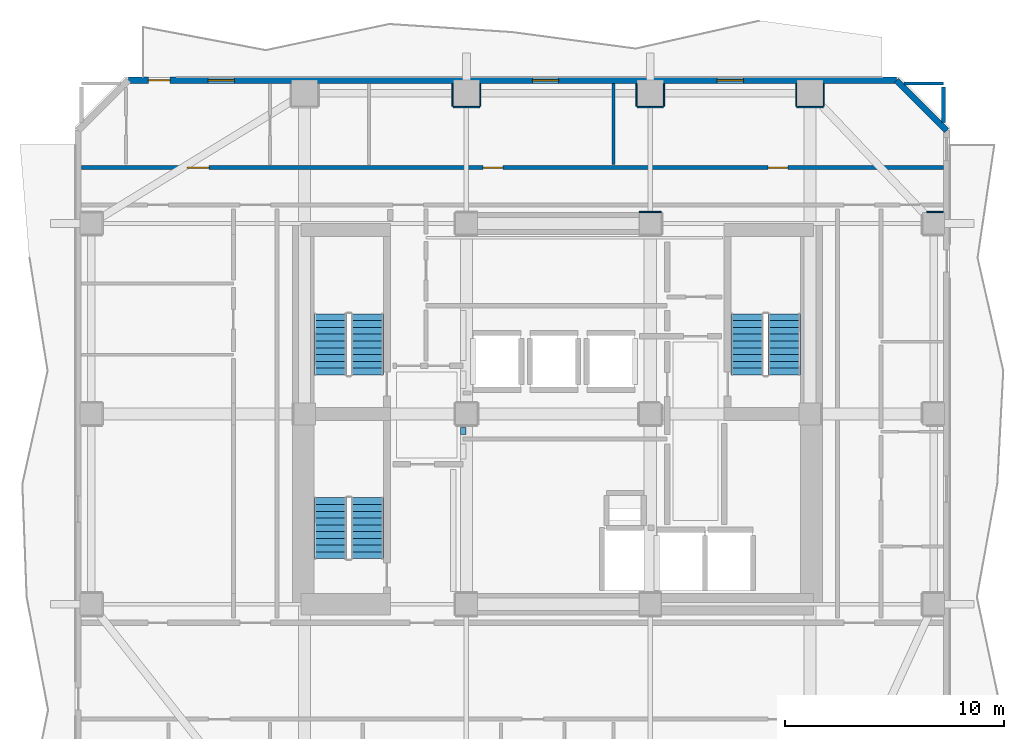
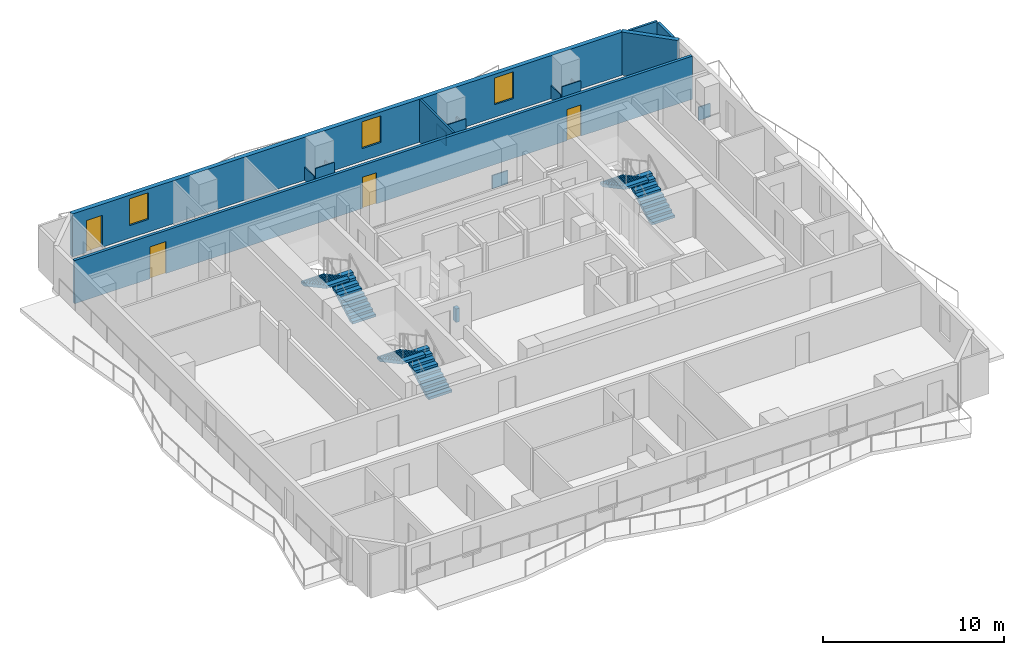
# One storey, part 6 of 10: 18 walls, 6 stair flights, 4 doors, 3 windows, 7 openings, 3 elements without a shape of their own.
"""IFC4 building model written with IfcOpenShell, lengths in metres."""

from ifc_helpers import new_model, si_unit, direction, frame, frame_2d, origin, place, context, subcontext, project, spatial, polyline, rectangle, outline, extrude, material, layer, layer_set, type_object, element, fill, aggregate, save


model = new_model("IFC4")

# Units and contexts
model_context = context("Model", 3, precision=1e-05, world=origin(), true_north=direction((0.0, 1.0)))
body_context = subcontext(model_context, "Body", "Model", "MODEL_VIEW")
ifc_project = project(units=[si_unit("LENGTHUNIT", "METRE"), si_unit("AREAUNIT", "SQUARE_METRE"), si_unit("VOLUMEUNIT", "CUBIC_METRE"), si_unit("PLANEANGLEUNIT", "RADIAN"), si_unit("MASSUNIT", "GRAM", prefix="KILO")], contexts=[model_context])

# Site, building, storey
site_placement = place(None, origin())
site = spatial("IfcSite", under=ifc_project, at=site_placement, CompositionType="ELEMENT")
building_placement = place(site_placement, origin())
building = spatial("IfcBuilding", under=site, at=building_placement, Name="Solanera Arch Residences", CompositionType="ELEMENT")
storey_placement = place(building_placement, frame((0.0, 0.0, 122.679931640625)))
storey = spatial("IfcBuildingStorey", under=building, at=storey_placement, Name="L35", CompositionType="ELEMENT", Elevation=122.679931640625)

# Walls
ifc_material_1 = material(Name="Fire-Rated Gypsum Stud Partition", Category="gypsum")
ifc_layer_1 = layer(ifc_material_1, 0.06005859375)
ifc_layer_set_1 = layer_set([ifc_layer_1], Name="Fire-Rated Gypsum Stud Partition")
wall_type_1 = type_object("IfcWallType", Name="Column Acoustic Furring Wall 60", PredefinedType="PARTITIONING", material=ifc_layer_set_1)
wall_1_placement = place(storey_placement, frame((28.699951171875, 39.931884765625, 0.0), z_axis=(0.0, 0.0, 1.0), x_axis=(1.0, 0.0, 0.0)))
element("IfcWall", 1, at=wall_1_placement, inside=storey, type_object=wall_type_1, Name="L35 Column Furring 4N", PredefinedType="PARTITIONING", context=body_context, shape_type="SweptSolid", body=[
    extrude(rectangle(XDim=1.0, YDim=0.06005859375, at=frame_2d((0.5, 0.0))), origin(), (0.0, 0.0, 1.0), 0.905029296875),
])
wall_2_placement = place(storey_placement, frame((20.199951171875, 44.718017578125, 0.0), z_axis=(0.0, 0.0, 1.0), x_axis=(1.0, 0.0, 0.0)))
element("IfcWall", 2, at=wall_2_placement, inside=storey, type_object=wall_type_1, Name="L35 Column Furring 12S", PredefinedType="PARTITIONING", context=body_context, shape_type="SweptSolid", body=[
    extrude(rectangle(XDim=1.199951171875, YDim=0.06005859375, at=frame_2d((0.60009765625, 0.0))), origin(), (0.0, 0.0, 1.0), 1.449951171875),
])
for number, where, z_axis, x_axis, name in (
    (3, (20.16796875, 44.75, 0.0), (0.0, 0.0, 1.0), (0.0, 1.0, 0.0), "L35 Column Furring 12W"),
    (4, (21.431884765625, 44.75, 0.0), (0.0, 0.0, 1.0), (0.0, 1.0, 0.0), "L35 Column Furring 12E"),
):
    element("IfcWall", number, at=place(storey_placement, frame(where, z_axis=z_axis, x_axis=x_axis)), inside=storey, type_object=wall_type_1, Name=name, PredefinedType="PARTITIONING", context=body_context, shape_type="SweptSolid", body=[
        extrude(rectangle(XDim=1.0400390625, YDim=0.06005859375, at=frame_2d((0.52001953125, 0.0))), origin(), (0.0, 0.0, 1.0), 0.905029296875),
    ])
wall_3_placement = place(storey_placement, frame((28.60009765625, 44.718017578125, 0.0), z_axis=(0.0, 0.0, 1.0), x_axis=(1.0, 0.0, 0.0)))
element("IfcWall", 5, at=wall_3_placement, inside=storey, type_object=wall_type_1, Name="L35 Column Furring 14S", PredefinedType="PARTITIONING", context=body_context, shape_type="SweptSolid", body=[
    extrude(rectangle(XDim=1.199951171875, YDim=0.06005859375, at=frame_2d((0.60009765625, 0.0))), origin(), (0.0, 0.0, 1.0), 1.449951171875),
])
for number, where, z_axis, x_axis, name in (
    (6, (28.568115234375, 44.75, 0.0), (0.0, 0.0, 1.0), (0.0, 1.0, 0.0), "L35 Column Furring 14W"),
    (7, (29.83203125, 44.75, 0.0), (0.0, 0.0, 1.0), (0.0, 1.0, 0.0), "L35 Column Furring 14E"),
):
    element("IfcWall", number, at=place(storey_placement, frame(where, z_axis=z_axis, x_axis=x_axis)), inside=storey, type_object=wall_type_1, Name=name, PredefinedType="PARTITIONING", context=body_context, shape_type="SweptSolid", body=[
        extrude(rectangle(XDim=1.0400390625, YDim=0.06005859375, at=frame_2d((0.52001953125, 0.0))), origin(), (0.0, 0.0, 1.0), 0.905029296875),
    ])
wall_4_placement = place(storey_placement, frame((35.89990234375, 44.718017578125, 0.0), z_axis=(0.0, 0.0, 1.0), x_axis=(1.0, 0.0, 0.0)))
element("IfcWall", 8, at=wall_4_placement, inside=storey, type_object=wall_type_1, Name="L35 Column Furring 16S", PredefinedType="PARTITIONING", context=body_context, shape_type="SweptSolid", body=[
    extrude(rectangle(XDim=1.2001953125, YDim=0.06005859375, at=frame_2d((0.60009765625, 0.0))), origin(), (0.0, 0.0, 1.0), 1.449951171875),
])
for number, where, z_axis, x_axis, name in (
    (9, (35.867919921875, 44.75, 0.0), (0.0, 0.0, 1.0), (0.0, 1.0, 0.0), "L35 Column Furring 16W"),
    (10, (37.132080078125, 44.75, 0.0), (0.0, 0.0, 1.0), (0.0, 1.0, 0.0), "L35 Column Furring 16E"),
):
    element("IfcWall", number, at=place(storey_placement, frame(where, z_axis=z_axis, x_axis=x_axis)), inside=storey, type_object=wall_type_1, Name=name, PredefinedType="PARTITIONING", context=body_context, shape_type="SweptSolid", body=[
        extrude(rectangle(XDim=1.0400390625, YDim=0.06005859375, at=frame_2d((0.52001953125, 0.0))), origin(), (0.0, 0.0, 1.0), 0.905029296875),
    ])
wall_5_placement = place(storey_placement, frame((41.839111328125, 39.931884765625, 0.0), z_axis=(0.0, 0.0, 1.0), x_axis=(1.0, 0.0, 0.0)))
element("IfcWall", 11, at=wall_5_placement, inside=storey, type_object=wall_type_1, Name="L35 Column Furring 22N", PredefinedType="PARTITIONING", context=body_context, shape_type="SweptSolid", body=[
    extrude(rectangle(XDim=0.7509765625, YDim=0.06005859375, at=frame_2d((0.37548828125, 0.0))), origin(), (0.0, 0.0, 1.0), 0.905029296875),
])

# Wall, openings, doors
ifc_material_2 = material(Name="Autoclaved Aerated Concrete Blockwork", Category="masonry")
ifc_layer_2 = layer(ifc_material_2, 0.179931640625)
ifc_layer_set_2 = layer_set([ifc_layer_2], Name="Autoclaved Aerated Concrete Blockwork")
wall_type_2 = type_object("IfcWallType", Name="Corridor Fire Partition 180", PredefinedType="PARTITIONING", material=ifc_layer_set_2)
wall_6_placement = place(storey_placement, frame((3.20703125, 41.949951171875, 0.0), z_axis=(0.0, 0.0, 1.0), x_axis=(1.0, 0.0, 0.0)))
wall_6 = element("IfcWall", 12, at=wall_6_placement, inside=storey, type_object=wall_type_2, Name="L35 Interior Partition H12", PredefinedType="PARTITIONING", context=body_context, shape_type="SweptSolid", body=[
    extrude(rectangle(XDim=39.385986328125, YDim=0.179931640625, at=frame_2d((19.69287109375, 0.0))), origin(), (0.0, 0.0, 1.0), 2.900146484375),
])
opening_1_placement = place(wall_6_placement, frame((4.827880859375, 0.0, 0.0)))
opening_1 = element("IfcOpeningElement", 13, at=opening_1_placement, cuts=wall_6, Name="Opening DI-01", PredefinedType="OPENING", context=body_context, shape_type="SweptSolid", body=[
    extrude(rectangle(XDim=1.0, YDim=2.14990234375, at=frame_2d((0.5, 1.074951171875))), frame((0.0, 0.10009765625, 0.0), z_axis=(0.0, -1.0, 0.0), x_axis=(1.0, 0.0, 0.0)), (0.0, 0.0, 1.0), 0.1999),
])
opening_2_placement = place(wall_6_placement, frame((18.35498046875, 0.0, 0.0)))
opening_2 = element("IfcOpeningElement", 14, at=opening_2_placement, cuts=wall_6, Name="Opening DI-02", PredefinedType="OPENING", context=body_context, shape_type="SweptSolid", body=[
    extrude(rectangle(XDim=0.89990234375, YDim=2.10009765625, at=frame_2d((0.449951171875, 1.050048828125))), frame((0.0, 0.10009765625, 0.0), z_axis=(0.0, -1.0, 0.0), x_axis=(1.0, 0.0, 0.0)), (0.0, 0.0, 1.0), 0.1999),
])
opening_3_placement = place(wall_6_placement, frame((31.37890625, 0.0, 0.0)))
opening_3 = element("IfcOpeningElement", 15, at=opening_3_placement, cuts=wall_6, Name="Opening DI-02", PredefinedType="OPENING", context=body_context, shape_type="SweptSolid", body=[
    extrude(rectangle(XDim=0.89990234375, YDim=2.10009765625, at=frame_2d((0.449951171875, 1.050048828125))), frame((0.0, 0.10009765625, 0.0), z_axis=(0.0, -1.0, 0.0), x_axis=(1.0, 0.0, 0.0)), (0.0, 0.0, 1.0), 0.1999),
])
ifc_material_3 = material(Name="Fire-Rated Architectural Hardwood", Category="wood")
door_type_1 = type_object("IfcDoorType", Name="Suite Room Swing Door DI-02", OperationType="NOTDEFINED", PredefinedType="DOOR", material=ifc_material_3)
door_1_placement = place(opening_2_placement, origin())
door_1 = element("IfcDoor", 16, at=door_1_placement, inside=storey, type_object=door_type_1, Name="DR-L35-IN-029", OperationType="SINGLE_SWING_LEFT", OverallHeight=2.10009765625, OverallWidth=0.89990234375, PredefinedType="DOOR", context=body_context, shape_type="SweptSolid", body=[
    extrude(rectangle(XDim=0.89990234375, YDim=2.10009765625, at=frame_2d((0.449951171875, 1.050048828125))), frame((0.0, 0.02490234375, 0.0), z_axis=(0.0, -1.0, 0.0), x_axis=(1.0, 0.0, 0.0)), (0.0, 0.0, 1.0), 0.050048828125),
])
fill(opening_2, door_1)
door_2_placement = place(opening_3_placement, origin())
door_2 = element("IfcDoor", 17, at=door_2_placement, inside=storey, type_object=door_type_1, Name="DR-L35-IN-030", OperationType="SINGLE_SWING_RIGHT", OverallHeight=2.10009765625, OverallWidth=0.89990234375, PredefinedType="DOOR", context=body_context, shape_type="SweptSolid", body=[
    extrude(rectangle(XDim=0.89990234375, YDim=2.10009765625, at=frame_2d((0.449951171875, 1.050048828125))), frame((0.0, 0.02490234375, 0.0), z_axis=(0.0, -1.0, 0.0), x_axis=(1.0, 0.0, 0.0)), (0.0, 0.0, 1.0), 0.050048828125),
])
fill(opening_3, door_2)
ifc_material_4 = material(Name="Fire-Rated Architectural Hardwood", Category="wood")
door_type_2 = type_object("IfcDoorType", Name="Unit Entrance Fire Door DI-01", OperationType="NOTDEFINED", PredefinedType="DOOR", material=ifc_material_4)
door_3_placement = place(opening_1_placement, origin())
door_3 = element("IfcDoor", 18, at=door_3_placement, inside=storey, type_object=door_type_2, Name="DR-L35-IN-026", OperationType="SINGLE_SWING_RIGHT", OverallHeight=2.14990234375, OverallWidth=1.0, PredefinedType="DOOR", context=body_context, shape_type="SweptSolid", body=[
    extrude(rectangle(XDim=1.0, YDim=2.14990234375, at=frame_2d((0.5, 1.074951171875))), frame((0.0, 0.02490234375, 0.0), z_axis=(0.0, -1.0, 0.0), x_axis=(1.0, 0.0, 0.0)), (0.0, 0.0, 1.0), 0.050048828125),
])
fill(opening_1, door_3)

# Wall
wall_7_placement = place(storey_placement, frame((42.60009765625, 44.0048828125, 0.0), z_axis=(0.0, 0.0, 1.0), x_axis=(0.0, 1.0, 0.0)))
element("IfcWall", 19, at=wall_7_placement, inside=storey, type_object=wall_type_2, Name="L35 Interior Partition V13 2", PredefinedType="PARTITIONING", context=body_context, shape_type="SweptSolid", body=[
    extrude(rectangle(XDim=1.627197265625, YDim=0.179931640625, at=frame_2d((0.8134765625, 0.0))), origin(), (0.0, 0.0, 1.0), 2.900146484375),
])

# Wall, openings, door, windows
ifc_material_5 = material(Name="Precast Concrete C35/45", Category="concrete")
ifc_layer_3 = layer(ifc_material_5, 0.280029296875)
ifc_layer_set_3 = layer_set([ifc_layer_3], Name="Precast Concrete C35/45")
wall_type_3 = type_object("IfcWallType", Name="Exterior Wall Precast Masonry-Frame 280", PredefinedType="STANDARD", material=ifc_layer_set_3)
wall_8_placement = place(storey_placement, frame((5.35498046875, 45.945068359375, 0.0), z_axis=(0.0, 0.0, 1.0), x_axis=(1.0, 0.0, 0.0)))
wall_8 = element("IfcWall", 20, at=wall_8_placement, inside=storey, type_object=wall_type_3, Name="L35 Tower Exterior Precast Masonry-Frame Wall N", PredefinedType="STANDARD", context=body_context, shape_type="SweptSolid", body=[
    extrude(rectangle(XDim=35.090087890625, YDim=0.280029296875, at=frame_2d((17.544921875, 0.0))), origin(), (0.0, 0.0, 1.0), 2.900146484375),
])
opening_4_placement = place(wall_8_placement, frame((0.904052734375, 0.0, 0.0)))
opening_4 = element("IfcOpeningElement", 21, at=opening_4_placement, cuts=wall_8, Name="Opening DB-01", PredefinedType="OPENING", context=body_context, shape_type="SweptSolid", body=[
    extrude(rectangle(XDim=1.0, YDim=2.14990234375, at=frame_2d((0.5, 1.074951171875))), frame((0.0, 0.14990234375, 0.0), z_axis=(0.0, -1.0, 0.0), x_axis=(1.0, 0.0, 0.0)), (0.0, 0.0, 1.0), 0.3),
])
opening_5_placement = place(wall_8_placement, frame((3.634033203125, 0.0, 0.85009765625)))
opening_5 = element("IfcOpeningElement", 22, at=opening_5_placement, cuts=wall_8, Name="Opening W-01", PredefinedType="OPENING", context=body_context, shape_type="SweptSolid", body=[
    extrude(rectangle(XDim=1.199951171875, YDim=1.800048828125, at=frame_2d((0.60009765625, 0.89990234375))), frame((0.0, 0.14990234375, 0.0), z_axis=(0.0, -1.0, 0.0), x_axis=(1.0, 0.0, 0.0)), (0.0, 0.0, 1.0), 0.3),
])
opening_6_placement = place(wall_8_placement, frame((18.455078125, 0.0, 0.85009765625)))
opening_6 = element("IfcOpeningElement", 23, at=opening_6_placement, cuts=wall_8, Name="Opening W-01", PredefinedType="OPENING", context=body_context, shape_type="SweptSolid", body=[
    extrude(rectangle(XDim=1.199951171875, YDim=1.800048828125, at=frame_2d((0.60009765625, 0.89990234375))), frame((0.0, 0.14990234375, 0.0), z_axis=(0.0, -1.0, 0.0), x_axis=(1.0, 0.0, 0.0)), (0.0, 0.0, 1.0), 0.3),
])
opening_7_placement = place(wall_8_placement, frame((26.89501953125, 0.0, 0.85009765625)))
opening_7 = element("IfcOpeningElement", 24, at=opening_7_placement, cuts=wall_8, Name="Opening W-01", PredefinedType="OPENING", context=body_context, shape_type="SweptSolid", body=[
    extrude(rectangle(XDim=1.199951171875, YDim=1.800048828125, at=frame_2d((0.60009765625, 0.89990234375))), frame((0.0, 0.14990234375, 0.0), z_axis=(0.0, -1.0, 0.0), x_axis=(1.0, 0.0, 0.0)), (0.0, 0.0, 1.0), 0.3),
])
ifc_material_6 = material(Name="Anodised Aluminium Alloy 6063-T6", Category="aluminium")
door_type_3 = type_object("IfcDoorType", Name="Glazed Balcony Swing Door DB-01", OperationType="NOTDEFINED", PredefinedType="DOOR", material=ifc_material_6)
door_4_placement = place(opening_4_placement, origin())
door_4 = element("IfcDoor", 25, at=door_4_placement, inside=storey, type_object=door_type_3, Name="DR-L35-OUT-02", OperationType="SINGLE_SWING_RIGHT", OverallHeight=2.14990234375, OverallWidth=1.0, PredefinedType="DOOR", context=body_context, shape_type="SweptSolid", body=[
    extrude(rectangle(XDim=1.0, YDim=2.14990234375, at=frame_2d((0.5, 1.074951171875))), frame((0.0, 0.02490234375, 0.0), z_axis=(0.0, -1.0, 0.0), x_axis=(1.0, 0.0, 0.0)), (0.0, 0.0, 1.0), 0.050048828125),
])
fill(opening_4, door_4)
ifc_material_7 = material(Name="Double Glazed Low-E Laminated Glass", Category="glass")
window_type = type_object("IfcWindowType", Name="Punched Window W-01", PartitioningType="SINGLE_PANEL", PredefinedType="WINDOW", material=ifc_material_7)
window_1_placement = place(opening_5_placement, origin())
window_1 = element("IfcWindow", 26, at=window_1_placement, inside=storey, type_object=window_type, Name="L35 3503-LIV Punched Window", OverallHeight=1.800048828125, OverallWidth=1.199951171875, PartitioningType="SINGLE_PANEL", PredefinedType="WINDOW", context=body_context, shape_type="SweptSolid", body=[
    extrude(rectangle(XDim=1.199951171875, YDim=1.800048828125, at=frame_2d((0.60009765625, 0.89990234375))), frame((0.0, 0.030029296875, 0.0), z_axis=(0.0, -1.0, 0.0), x_axis=(1.0, 0.0, 0.0)), (0.0, 0.0, 1.0), 0.06005859375),
])
fill(opening_5, window_1)
window_2_placement = place(opening_6_placement, origin())
window_2 = element("IfcWindow", 27, at=window_2_placement, inside=storey, type_object=window_type, Name="L35 AMN-MTG1 Punched Window", OverallHeight=1.800048828125, OverallWidth=1.199951171875, PartitioningType="SINGLE_PANEL", PredefinedType="WINDOW", context=body_context, shape_type="SweptSolid", body=[
    extrude(rectangle(XDim=1.199951171875, YDim=1.800048828125, at=frame_2d((0.60009765625, 0.89990234375))), frame((0.0, 0.030029296875, 0.0), z_axis=(0.0, -1.0, 0.0), x_axis=(1.0, 0.0, 0.0)), (0.0, 0.0, 1.0), 0.06005859375),
])
fill(opening_6, window_2)
window_3_placement = place(opening_7_placement, origin())
window_3 = element("IfcWindow", 28, at=window_3_placement, inside=storey, type_object=window_type, Name="L35 AMN-MTG2 Punched Window", OverallHeight=1.800048828125, OverallWidth=1.199951171875, PartitioningType="SINGLE_PANEL", PredefinedType="WINDOW", context=body_context, shape_type="SweptSolid", body=[
    extrude(rectangle(XDim=1.199951171875, YDim=1.800048828125, at=frame_2d((0.60009765625, 0.89990234375))), frame((0.0, 0.030029296875, 0.0), z_axis=(0.0, -1.0, 0.0), x_axis=(1.0, 0.0, 0.0)), (0.0, 0.0, 1.0), 0.06005859375),
])
fill(opening_7, window_3)

# Walls
wall_9_placement = place(storey_placement, frame((40.445068359375, 45.945068359375, 0.0), z_axis=(0.0, 0.0, 1.0), x_axis=(0.707106781187, -0.707106781187, 0.0)))
element("IfcWall", 29, at=wall_9_placement, inside=storey, type_object=wall_type_3, Name="L35 Tower Exterior Precast Masonry-Frame Wall CH3", PredefinedType="STANDARD", context=body_context, shape_type="SweptSolid", body=[
    extrude(rectangle(XDim=3.252685546875, YDim=0.280029296875, at=frame_2d((1.62646484375, 0.0))), origin(), (0.0, 0.0, 1.0), 2.900146484375),
])
ifc_material_8 = material(Name="Autoclaved Aerated Concrete Blockwork", Category="masonry")
ifc_layer_4 = layer(ifc_material_8, 0.239990234375)
ifc_layer_set_4 = layer_set([ifc_layer_4], Name="Autoclaved Aerated Concrete Blockwork")
wall_type_4 = type_object("IfcWallType", Name="Shaft Wall Fire-Rated 240", PredefinedType="PARTITIONING", material=ifc_layer_set_4)
wall_10_placement = place(storey_placement, frame((20.64990234375, 29.76806640625, 0.0), z_axis=(0.0, 0.0, 1.0), x_axis=(0.0, 1.0, 0.0)))
element("IfcWall", 30, at=wall_10_placement, inside=storey, type_object=wall_type_4, Name="L35 Interior Partition V3 2", PredefinedType="PARTITIONING", context=body_context, shape_type="SweptSolid", body=[
    extrude(rectangle(XDim=0.300048828125, YDim=0.239990234375, at=frame_2d((0.14990234375, 0.0))), origin(), (0.0, 0.0, 1.0), 0.905029296875),
])
ifc_material_9 = material(Name="Fire-Rated Gypsum Stud Partition", Category="gypsum")
ifc_layer_5 = layer(ifc_material_9, 0.1201171875)
ifc_layer_set_5 = layer_set([ifc_layer_5], Name="Fire-Rated Gypsum Stud Partition")
wall_type_5 = type_object("IfcWallType", Name="Unit Drywall Partition 120", PredefinedType="PARTITIONING", material=ifc_layer_set_5)
wall_11_placement = place(storey_placement, frame((27.52001953125, 42.10791015625, 0.0), z_axis=(0.0, 0.0, 1.0), x_axis=(0.0, 1.0, 0.0)))
element("IfcWall", 31, at=wall_11_placement, inside=storey, type_object=wall_type_5, Name="L35 Interior Partition V23", PredefinedType="PARTITIONING", context=body_context, shape_type="SweptSolid", body=[
    extrude(rectangle(XDim=3.68505859375, YDim=0.1201171875, at=frame_2d((1.842529296875, 0.0))), origin(), (0.0, 0.0, 1.0), 2.900146484375),
])
ifc_material_10 = material(Name="Autoclaved Aerated Concrete Blockwork", Category="masonry")
ifc_layer_6 = layer(ifc_material_10, 0.139892578125)
ifc_layer_set_6 = layer_set([ifc_layer_6], Name="Autoclaved Aerated Concrete Blockwork")
wall_type_6 = type_object("IfcWallType", Name="Wet-Room Partition 140", PredefinedType="PARTITIONING", material=ifc_layer_set_6)
wall_12_placement = place(storey_placement, frame((40.804931640625, 45.800048828125, 0.0), z_axis=(0.0, 0.0, 1.0), x_axis=(1.0, 0.0, 0.0)))
element("IfcWall", 32, at=wall_12_placement, inside=storey, type_object=wall_type_6, Name="L35 Interior Partition H17 2", PredefinedType="PARTITIONING", context=body_context, shape_type="SweptSolid", body=[
    extrude(rectangle(XDim=1.795166015625, YDim=0.139892578125, at=frame_2d((0.8974609375, 0.0))), origin(), (0.0, 0.0, 1.0), 2.900146484375),
])

# Stair, stair flights
ifc_material_11 = material(Name="Concrete C40/50 (f'c = 45 MPa)", Category="concrete")
stair_type = type_object("IfcStairType", Name="Tower Dogleg Exit Stair 1480", PredefinedType="HALF_TURN_STAIR", material=ifc_material_11)
stair_1_placement = place(storey_placement, origin())
stair_1 = element("IfcStair", 33, at=stair_1_placement, inside=storey, type_object=stair_type, Name="L35 Tower Core Exit Stair 1", PredefinedType="HALF_TURN_STAIR")
ifc_material_12 = material(Name="Concrete C40/50 (f'c = 45 MPa)", Category="concrete")
stair_flight_type = type_object("IfcStairFlightType", Name="Tower Precast Stair Flight 1480", PredefinedType="STRAIGHT", material=ifc_material_12)
stair_flight_1_placement = place(storey_placement, frame((16.260009765625, 32.47998046875, 0.0), z_axis=(0.0, 0.0, 1.0), x_axis=(0.0, 1.0, 0.0)))
stair_flight_1 = element("IfcStairFlight", 34, at=stair_flight_1_placement, type_object=stair_flight_type, Name="ST-T1 flight 1", NumberOfRisers=10, NumberOfTreads=9, PredefinedType="STRAIGHT", RiserHeight=0.166, TreadLength=0.31, context=body_context, shape_type="SweptSolid", body=[
    extrude(outline(polyline([(0.0, 0.0), (0.0, 0.166015625), (0.31005859375, 0.166015625), (0.31005859375, 0.33203125), (0.6201171875, 0.33203125), (0.6201171875, 0.498046875), (0.929931640625, 0.498046875), (0.929931640625, 0.6640625), (1.239990234375, 0.6640625), (1.239990234375, 0.830078125), (1.550048828125, 0.830078125), (1.550048828125, 0.99609375), (1.860107421875, 0.99609375), (1.860107421875, 1.162109375), (2.169921875, 1.162109375), (2.169921875, 1.327880859375), (2.47998046875, 1.327880859375), (2.47998046875, 1.493896484375), (2.7900390625, 1.493896484375), (2.7900390625, 1.659912109375), (2.7900390625, 1.323974609375), (0.317626953125, 0.0), (0.0, 0.0)])), frame((0.0, 0.739990234375, 0.0), z_axis=(0.0, -1.0, 0.0), x_axis=(1.0, 0.0, 0.0)), (0.0, 0.0, 1.0), 1.47998046875),
])
stair_flight_2_placement = place(storey_placement, frame((14.580078125, 35.27001953125, 1.66015625), z_axis=(0.0, 0.0, 1.0), x_axis=(0.0, -1.0, 0.0)))
stair_flight_2 = element("IfcStairFlight", 35, at=stair_flight_2_placement, type_object=stair_flight_type, Name="ST-T1 flight 2", NumberOfRisers=10, NumberOfTreads=9, PredefinedType="STRAIGHT", RiserHeight=0.166, TreadLength=0.31, context=body_context, shape_type="SweptSolid", body=[
    extrude(outline(polyline([(0.0, 0.0), (0.0, 0.166015625), (0.31005859375, 0.166015625), (0.31005859375, 0.33203125), (0.6201171875, 0.33203125), (0.6201171875, 0.498046875), (0.929931640625, 0.498046875), (0.929931640625, 0.6640625), (1.239990234375, 0.6640625), (1.239990234375, 0.830078125), (1.550048828125, 0.830078125), (1.550048828125, 0.99609375), (1.860107421875, 0.99609375), (1.860107421875, 1.162109375), (2.169921875, 1.162109375), (2.169921875, 1.327880859375), (2.47998046875, 1.327880859375), (2.47998046875, 1.493896484375), (2.7900390625, 1.493896484375), (2.7900390625, 1.659912109375), (2.7900390625, 1.323974609375), (0.317626953125, 0.0), (0.0, 0.0)])), frame((0.0, 0.739990234375, 0.0), z_axis=(0.0, -1.0, 0.0), x_axis=(1.0, 0.0, 0.0)), (0.0, 0.0, 1.0), 1.47998046875),
])
aggregate(stair_1, [stair_flight_1, stair_flight_2])

stair_2_placement = place(storey_placement, origin())
stair_2 = element("IfcStair", 36, at=stair_2_placement, inside=storey, type_object=stair_type, Name="L35 Tower Core Exit Stair 2", PredefinedType="HALF_TURN_STAIR")
stair_flight_3_placement = place(storey_placement, frame((35.320068359375, 32.47998046875, 0.0), z_axis=(0.0, 0.0, 1.0), x_axis=(0.0, 1.0, 0.0)))
stair_flight_3 = element("IfcStairFlight", 37, at=stair_flight_3_placement, type_object=stair_flight_type, Name="ST-T2 flight 1", NumberOfRisers=10, NumberOfTreads=9, PredefinedType="STRAIGHT", RiserHeight=0.166, TreadLength=0.31, context=body_context, shape_type="SweptSolid", body=[
    extrude(outline(polyline([(0.0, 0.0), (0.0, 0.166015625), (0.31005859375, 0.166015625), (0.31005859375, 0.33203125), (0.6201171875, 0.33203125), (0.6201171875, 0.498046875), (0.929931640625, 0.498046875), (0.929931640625, 0.6640625), (1.239990234375, 0.6640625), (1.239990234375, 0.830078125), (1.550048828125, 0.830078125), (1.550048828125, 0.99609375), (1.860107421875, 0.99609375), (1.860107421875, 1.162109375), (2.169921875, 1.162109375), (2.169921875, 1.327880859375), (2.47998046875, 1.327880859375), (2.47998046875, 1.493896484375), (2.7900390625, 1.493896484375), (2.7900390625, 1.659912109375), (2.7900390625, 1.323974609375), (0.317626953125, 0.0), (0.0, 0.0)])), frame((0.0, 0.739990234375, 0.0), z_axis=(0.0, -1.0, 0.0), x_axis=(1.0, 0.0, 0.0)), (0.0, 0.0, 1.0), 1.47998046875),
])
stair_flight_4_placement = place(storey_placement, frame((33.639892578125, 35.27001953125, 1.66015625), z_axis=(0.0, 0.0, 1.0), x_axis=(0.0, -1.0, 0.0)))
stair_flight_4 = element("IfcStairFlight", 38, at=stair_flight_4_placement, type_object=stair_flight_type, Name="ST-T2 flight 2", NumberOfRisers=10, NumberOfTreads=9, PredefinedType="STRAIGHT", RiserHeight=0.166, TreadLength=0.31, context=body_context, shape_type="SweptSolid", body=[
    extrude(outline(polyline([(0.0, 0.0), (0.0, 0.166015625), (0.31005859375, 0.166015625), (0.31005859375, 0.33203125), (0.6201171875, 0.33203125), (0.6201171875, 0.498046875), (0.929931640625, 0.498046875), (0.929931640625, 0.6640625), (1.239990234375, 0.6640625), (1.239990234375, 0.830078125), (1.550048828125, 0.830078125), (1.550048828125, 0.99609375), (1.860107421875, 0.99609375), (1.860107421875, 1.162109375), (2.169921875, 1.162109375), (2.169921875, 1.327880859375), (2.47998046875, 1.327880859375), (2.47998046875, 1.493896484375), (2.7900390625, 1.493896484375), (2.7900390625, 1.659912109375), (2.7900390625, 1.323974609375), (0.317626953125, 0.0), (0.0, 0.0)])), frame((0.0, 0.739990234375, 0.0), z_axis=(0.0, -1.0, 0.0), x_axis=(1.0, 0.0, 0.0)), (0.0, 0.0, 1.0), 1.47998046875),
])
aggregate(stair_2, [stair_flight_3, stair_flight_4])

stair_3_placement = place(storey_placement, origin())
stair_3 = element("IfcStair", 39, at=stair_3_placement, inside=storey, type_object=stair_type, Name="L35 Tower Core Exit Stair 3", PredefinedType="HALF_TURN_STAIR")
stair_flight_5_placement = place(storey_placement, frame((16.260009765625, 24.080078125, 0.0), z_axis=(0.0, 0.0, 1.0), x_axis=(0.0, 1.0, 0.0)))
stair_flight_5 = element("IfcStairFlight", 40, at=stair_flight_5_placement, type_object=stair_flight_type, Name="ST-T3 flight 1", NumberOfRisers=10, NumberOfTreads=9, PredefinedType="STRAIGHT", RiserHeight=0.166, TreadLength=0.31, context=body_context, shape_type="SweptSolid", body=[
    extrude(outline(polyline([(0.0, 0.0), (0.0, 0.166015625), (0.31005859375, 0.166015625), (0.31005859375, 0.33203125), (0.6201171875, 0.33203125), (0.6201171875, 0.498046875), (0.929931640625, 0.498046875), (0.929931640625, 0.6640625), (1.239990234375, 0.6640625), (1.239990234375, 0.830078125), (1.550048828125, 0.830078125), (1.550048828125, 0.99609375), (1.860107421875, 0.99609375), (1.860107421875, 1.162109375), (2.169921875, 1.162109375), (2.169921875, 1.327880859375), (2.47998046875, 1.327880859375), (2.47998046875, 1.493896484375), (2.7900390625, 1.493896484375), (2.7900390625, 1.659912109375), (2.7900390625, 1.323974609375), (0.317626953125, 0.0), (0.0, 0.0)])), frame((0.0, 0.739990234375, 0.0), z_axis=(0.0, -1.0, 0.0), x_axis=(1.0, 0.0, 0.0)), (0.0, 0.0, 1.0), 1.47998046875),
])
stair_flight_6_placement = place(storey_placement, frame((14.580078125, 26.8701171875, 1.66015625), z_axis=(0.0, 0.0, 1.0), x_axis=(0.0, -1.0, 0.0)))
stair_flight_6 = element("IfcStairFlight", 41, at=stair_flight_6_placement, type_object=stair_flight_type, Name="ST-T3 flight 2", NumberOfRisers=10, NumberOfTreads=9, PredefinedType="STRAIGHT", RiserHeight=0.166, TreadLength=0.31, context=body_context, shape_type="SweptSolid", body=[
    extrude(outline(polyline([(0.0, 0.0), (0.0, 0.166015625), (0.31005859375, 0.166015625), (0.31005859375, 0.33203125), (0.6201171875, 0.33203125), (0.6201171875, 0.498046875), (0.929931640625, 0.498046875), (0.929931640625, 0.6640625), (1.239990234375, 0.6640625), (1.239990234375, 0.830078125), (1.550048828125, 0.830078125), (1.550048828125, 0.99609375), (1.860107421875, 0.99609375), (1.860107421875, 1.162109375), (2.169921875, 1.162109375), (2.169921875, 1.327880859375), (2.47998046875, 1.327880859375), (2.47998046875, 1.493896484375), (2.7900390625, 1.493896484375), (2.7900390625, 1.659912109375), (2.7900390625, 1.323974609375), (0.317626953125, 0.0), (0.0, 0.0)])), frame((0.0, 0.739990234375, 0.0), z_axis=(0.0, -1.0, 0.0), x_axis=(1.0, 0.0, 0.0)), (0.0, 0.0, 1.0), 1.47998046875),
])
aggregate(stair_3, [stair_flight_5, stair_flight_6])

save(model, "model.ifc")
